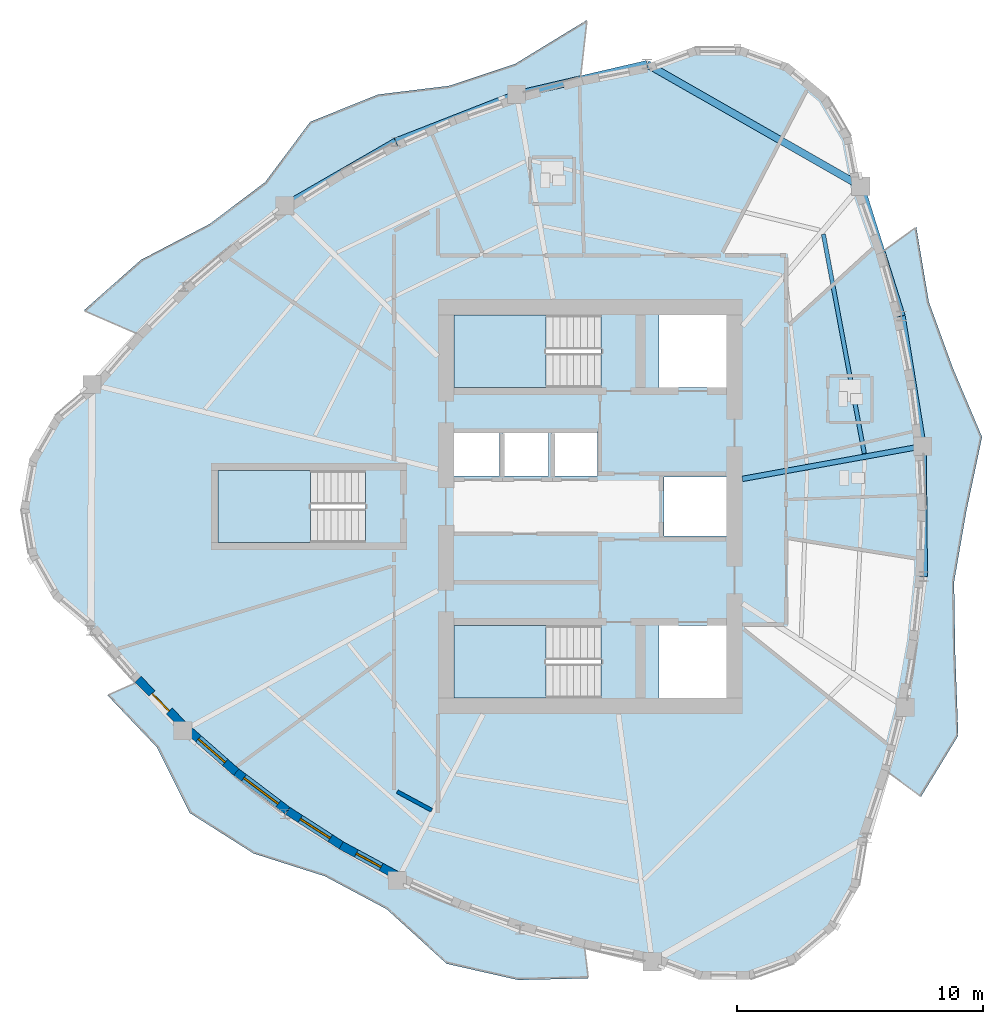
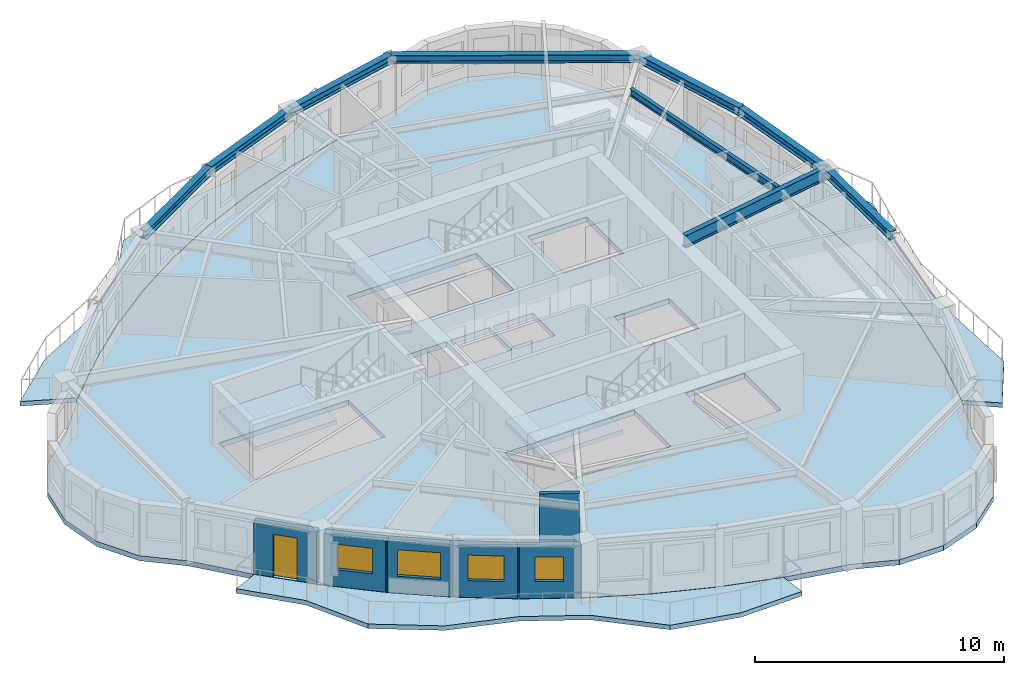
# One storey, part 2 of 12: 9 beams, 7 slabs, 6 walls, 4 windows, 1 door, 5 openings, 3 elements without a shape of their own.
"""IFC4 building model written with IfcOpenShell, lengths in metres."""

import ifcopenshell
import ifcopenshell.guid

model = None  # the IFC model being written
_history = None  # IfcOwnerHistory: only IFC2X3 demands one
_inside = {}  # id of a spatial element -> (the spatial element, [elements in it])
_under = {}  # id of a project, library or spatial element -> (it, [spatial elements below it])
_declared = {}  # id of a project -> (the project, [libraries it declares])
_typed = {}  # id of a type object -> (the type object, [elements of that type])
_made_of = {}  # id of a material, layer set ... -> (it, [elements and type objects made of it])


def new_model(schema):
    """Start an empty IFC model of exactly this schema.

    Asked for "IFC4X3", IfcOpenShell would pick the latest addendum, in which some entities
    have other attributes; the version numbers below select the first issue.
    IFC2X3 requires an IfcOwnerHistory on every rooted entity: one is made here for all.
    """
    global model, _history
    if schema == "IFC4X3":
        model = ifcopenshell.file(schema_version=(4, 3, 0, 0))
    else:
        model = ifcopenshell.file(schema=schema)
    _inside.clear()
    _under.clear()
    _declared.clear()
    _typed.clear()
    _made_of.clear()
    _history = None
    if model.schema == "IFC2X3":
        org = make("IfcOrganization", Name="unknown")
        user = make(
            "IfcPersonAndOrganization",
            ThePerson=make("IfcPerson", FamilyName="unknown"),
            TheOrganization=org,
        )
        app = make(
            "IfcApplication",
            ApplicationDeveloper=org,
            Version="unknown",
            ApplicationFullName="unknown",
            ApplicationIdentifier="unknown",
        )
        _history = make(
            "IfcOwnerHistory",
            OwningUser=user,
            OwningApplication=app,
            ChangeAction="ADDED",
            CreationDate=0,
        )
    return model


def make(cls, **values):
    """One entity of the class cls with the attributes given. An attribute that is None is left unset."""
    return model.create_entity(
        cls, **{name: value for name, value in values.items() if value is not None}
    )


def rooted(cls, **values):
    """An entity with a GlobalId (a new one), such as an element, a storey or a relation."""
    return make(cls, GlobalId=ifcopenshell.guid.new(), OwnerHistory=_history, **values)


def si_unit(unit_type, name, prefix=None):
    """IfcSIUnit, for example si_unit("LENGTHUNIT", "METRE", prefix="MILLI")."""
    return make("IfcSIUnit", UnitType=unit_type, Prefix=prefix, Name=name)


def assignment(units):
    """IfcUnitAssignment: the units of a project."""
    return None if units is None else make("IfcUnitAssignment", Units=units)


def point(xyz):
    """IfcCartesianPoint."""
    return None if xyz is None else make("IfcCartesianPoint", Coordinates=xyz)


def direction(xyz):
    """IfcDirection."""
    return None if xyz is None else make("IfcDirection", DirectionRatios=xyz)


def frame(location, z_axis=None, x_axis=None):
    """IfcAxis2Placement3D, a coordinate frame: its origin and axes. An axis left out is left unset."""
    return make(
        "IfcAxis2Placement3D",
        Location=point(location),
        Axis=direction(z_axis),
        RefDirection=direction(x_axis),
    )


def frame_2d(location, x_axis=None):
    """IfcAxis2Placement2D, a coordinate frame in the plane: its origin and x axis."""
    return make(
        "IfcAxis2Placement2D", Location=point(location), RefDirection=direction(x_axis)
    )


def origin():
    """The frame at (0, 0, 0) with its axes left unset."""
    return frame((0.0, 0.0, 0.0))


def origin_2d():
    """The frame at (0, 0) in the plane with its x axis left unset."""
    return frame_2d((0.0, 0.0))


def place(relative_to, where):
    """IfcLocalPlacement: puts the frame where relative to a parent placement (None: the world)."""
    return make(
        "IfcLocalPlacement", PlacementRelTo=relative_to, RelativePlacement=where
    )


def context(
    kind, dimensions, precision=None, world=None, true_north=None, identifier=None
):
    """IfcGeometricRepresentationContext, for example the 3D "Model" context."""
    return make(
        "IfcGeometricRepresentationContext",
        ContextIdentifier=identifier,
        ContextType=kind,
        CoordinateSpaceDimension=dimensions,
        Precision=precision,
        WorldCoordinateSystem=world,
        TrueNorth=true_north,
    )


def subcontext(parent, identifier, kind, view, scale=None):
    """IfcGeometricRepresentationSubContext, for example "Body" below "Model"."""
    return make(
        "IfcGeometricRepresentationSubContext",
        ContextIdentifier=identifier,
        ContextType=kind,
        ParentContext=parent,
        TargetScale=scale,
        TargetView=view,
    )


def project(units=None, contexts=None):
    """IfcProject with its units and contexts."""
    return rooted(
        "IfcProject",
        Name="project",
        RepresentationContexts=contexts,
        UnitsInContext=assignment(units),
    )


def spatial(cls, under=None, at=None, **own):
    """A site, building, storey or space (cls), placed at a placement, below another one or the project."""
    s = rooted(cls, ObjectPlacement=at, **own)
    if under is not None:
        _under.setdefault(under.id(), (under, []))[1].append(s)
    return s


def polyline(points):
    """IfcPolyline through the points."""
    return make("IfcPolyline", Points=[point(p) for p in points])


def profile(cls, at=None, kind="AREA", **sizes):
    """A parametric profile (cls). Its sizes go by their IFC names, for example OverallWidth=200.0."""
    return make(cls, ProfileType=kind, Position=at, **sizes)


def rectangle(**sizes):
    """IfcRectangleProfileDef."""
    return profile("IfcRectangleProfileDef", **sizes)


def i_section(**sizes):
    """IfcIShapeProfileDef."""
    return profile("IfcIShapeProfileDef", **sizes)


def outline(outer, holes=None, kind="AREA"):
    """IfcArbitraryClosedProfileDef: a profile drawn as a closed curve; with holes, ...WithVoids."""
    if holes is None:
        return make("IfcArbitraryClosedProfileDef", ProfileType=kind, OuterCurve=outer)
    return make(
        "IfcArbitraryProfileDefWithVoids",
        ProfileType=kind,
        OuterCurve=outer,
        InnerCurves=holes,
    )


def extrude(swept, where, along, depth):
    """IfcExtrudedAreaSolid: the profile swept, set in the frame where, extruded along a direction by depth."""
    return make(
        "IfcExtrudedAreaSolid",
        SweptArea=swept,
        Position=where,
        ExtrudedDirection=direction(along),
        Depth=depth,
    )


def shape(context_of_items, identifier, shape_type, items):
    """IfcShapeRepresentation: the items that make up one representation, for example the "Body"."""
    return make(
        "IfcShapeRepresentation",
        ContextOfItems=context_of_items,
        RepresentationIdentifier=identifier,
        RepresentationType=shape_type,
        Items=items,
    )


def source(mapping_origin, context_of_items, identifier, shape_type, items):
    """IfcRepresentationMap: a shape defined once, which mapped items show again and again."""
    return make(
        "IfcRepresentationMap",
        MappingOrigin=mapping_origin,
        MappedRepresentation=shape(context_of_items, identifier, shape_type, items),
    )


def transform(
    local_origin,
    x_axis=None,
    y_axis=None,
    z_axis=None,
    scale=None,
    scale2=None,
    scale3=None,
    uniform=True,
):
    """IfcCartesianTransformationOperator3D, or its non-uniform kind. x_axis, y_axis, z_axis: its Axis1, 2, 3."""
    if uniform:
        return make(
            "IfcCartesianTransformationOperator3D",
            Axis1=direction(x_axis),
            Axis2=direction(y_axis),
            LocalOrigin=point(local_origin),
            Scale=scale,
            Axis3=direction(z_axis),
        )
    return make(
        "IfcCartesianTransformationOperator3DnonUniform",
        Axis1=direction(x_axis),
        Axis2=direction(y_axis),
        LocalOrigin=point(local_origin),
        Scale=scale,
        Axis3=direction(z_axis),
        Scale2=scale2,
        Scale3=scale3,
    )


def mapped(mapping_source, mapping_target):
    """IfcMappedItem: shows the shape of a source again, moved by a transform."""
    return make(
        "IfcMappedItem", MappingSource=mapping_source, MappingTarget=mapping_target
    )


def material(Name=None, Category=None):
    """IfcMaterial."""
    return make("IfcMaterial", Name=Name, Category=Category)


def layer(
    of_material, thickness, ventilated=None, Name=None, Category=None, Priority=None
):
    """IfcMaterialLayer: one layer of a wall or slab, of a material (None: an air gap)."""
    return make(
        "IfcMaterialLayer",
        Material=of_material,
        LayerThickness=thickness,
        IsVentilated=ventilated,
        Name=Name,
        Category=Category,
        Priority=Priority,
    )


def layer_set(layers, Name=None):
    """IfcMaterialLayerSet."""
    return make("IfcMaterialLayerSet", MaterialLayers=layers, LayerSetName=Name)


def material_profile(
    of_material, cross_section, Name=None, Category=None, Priority=None
):
    """IfcMaterialProfile: a cross section and its material."""
    return make(
        "IfcMaterialProfile",
        Name=Name,
        Material=of_material,
        Profile=cross_section,
        Priority=Priority,
        Category=Category,
    )


def profile_set(profiles, Name=None, composite=None):
    """IfcMaterialProfileSet."""
    return make(
        "IfcMaterialProfileSet",
        Name=Name,
        MaterialProfiles=profiles,
        CompositeProfile=composite,
    )


def made_of(thing, what):
    """Note that an element or type object is made of a material, layer set ...; save() writes the relation."""
    if what is not None:
        _made_of.setdefault(what.id(), (what, []))[1].append(thing)
    return thing


def type_object(cls, material=None, **own):
    """A type object (cls), such as IfcWallType, which elements share."""
    return made_of(rooted(cls, **own), material)


def element(
    cls,
    number,
    at=None,
    inside=None,
    cuts=None,
    type_object=None,
    material=None,
    context=None,
    identifier="Body",
    shape_type=None,
    held_by="IfcProductDefinitionShape",
    body=None,
    shapes=None,
    **own,
):
    """One element of the class cls, such as IfcWall. Its Tag is "e" and its number.

    at: its placement. inside: the storey or other place that contains it. cuts: it is an
    opening in that element (IfcRelVoidsElement). A single representation is given by context,
    identifier, shape_type and body (its items); several are given by shapes. held_by: the class
    of the entity that holds the representations. save() writes the other relations.
    """
    e = rooted(cls, Tag="e%d" % number, ObjectPlacement=at, **own)
    if body is not None:
        shapes = [shape(context, identifier, shape_type, body)]
    if shapes is not None:
        e.Representation = make(held_by, Representations=shapes)
    if inside is not None:
        _inside.setdefault(inside.id(), (inside, []))[1].append(e)
    if cuts is not None:
        rooted(
            "IfcRelVoidsElement", RelatingBuildingElement=cuts, RelatedOpeningElement=e
        )
    if type_object is not None:
        _typed.setdefault(type_object.id(), (type_object, []))[1].append(e)
    return made_of(e, material)


def fill(opening, filler):
    """IfcRelFillsElement: the door or window that sits in an opening."""
    return rooted(
        "IfcRelFillsElement",
        RelatingOpeningElement=opening,
        RelatedBuildingElement=filler,
    )


def aggregate(whole, parts):
    """IfcRelAggregates: a whole, such as a stair, and the parts it consists of."""
    return rooted("IfcRelAggregates", RelatingObject=whole, RelatedObjects=parts)


def save(model, path):
    """Write the relations noted so far, then the file.

    IfcRelAggregates (storeys below a building ...), IfcRelContainedInSpatialStructure (elements
    in a storey), IfcRelDefinesByType, IfcRelAssociatesMaterial and IfcRelDeclares: one each for
    every whole, place, type object, material and project.
    """
    for whole, parts in _under.values():
        aggregate(whole, parts)
    for where, things in _inside.values():
        rooted(
            "IfcRelContainedInSpatialStructure",
            RelatedElements=things,
            RelatingStructure=where,
        )
    for kind, things in _typed.values():
        rooted("IfcRelDefinesByType", RelatedObjects=things, RelatingType=kind)
    for what, things in _made_of.values():
        rooted("IfcRelAssociatesMaterial", RelatedObjects=things, RelatingMaterial=what)
    for by, libraries in _declared.values():
        rooted("IfcRelDeclares", RelatingContext=by, RelatedDefinitions=libraries)
    model.write(path)


model = new_model("IFC4")

# Units and contexts
model_context = context("Model", 3, precision=1e-05, world=origin(), true_north=direction((0.0, 1.0)))
body_context = subcontext(model_context, "Body", "Model", "MODEL_VIEW")
ifc_project = project(units=[si_unit("LENGTHUNIT", "METRE"), si_unit("AREAUNIT", "SQUARE_METRE"), si_unit("VOLUMEUNIT", "CUBIC_METRE"), si_unit("PLANEANGLEUNIT", "RADIAN"), si_unit("MASSUNIT", "GRAM", prefix="KILO")], contexts=[model_context])

# Site, building, storey
site_placement = place(None, origin())
site = spatial("IfcSite", under=ifc_project, at=site_placement, CompositionType="ELEMENT")
building_placement = place(site_placement, origin())
building = spatial("IfcBuilding", under=site, at=building_placement, Name="Qafzar Sky-Pleat Residences", CompositionType="ELEMENT")
storey_placement = place(building_placement, frame((0.0, 0.0, 139.39990234375)))
storey = spatial("IfcBuildingStorey", under=building, at=storey_placement, Name="L41", CompositionType="ELEMENT", Elevation=139.39990234375)

# Beams
ifc_material_1 = material(Name="Steel S355", Category="steel")
ifc_material_profile_1 = material_profile(ifc_material_1, i_section(OverallWidth=0.300048828125, OverallDepth=0.39990234375, WebThickness=0.013427734375, FlangeThickness=0.02392578125, FilletRadius=0.027099609375, at=origin_2d()), Name="HEB 400")
ifc_profile_set_1 = profile_set([ifc_material_profile_1], Name="Steel S355")
beam_type_1 = type_object("IfcBeamType", Name="BM-SPAN-HEB400", PredefinedType="SPANDREL", material=ifc_profile_set_1)
shared_shape_1 = source(origin(), body_context, "Body", "SweptSolid", [
    extrude(i_section(OverallWidth=0.300048828125, OverallDepth=0.39990234375, WebThickness=0.013427734375, FlangeThickness=0.02392578125, FilletRadius=0.027099609375, at=origin_2d()), origin(), (0.0, 0.0, 1.0), 5.548095703125),
])
beam_1_placement = place(storey_placement, frame((43.030517578125, 33.757080078125, 2.748046875), z_axis=(-0.300103485424, 0.953906650588, 0.0), x_axis=(-0.953906650588, -0.300103485424, 0.0)))
element("IfcBeam", 1, at=beam_1_placement, inside=storey, type_object=beam_type_1, Name="L41 Perimeter Spandrel Beam 12", PredefinedType="SPANDREL", context=body_context, shape_type="MappedRepresentation", body=[
    mapped(shared_shape_1, transform((0.0, 0.0, 0.0), x_axis=(1.0, 0.0, 0.0), y_axis=(0.0, 1.0, 0.0), z_axis=(0.0, 0.0, 1.0), scale=1.0)),
])
shared_shape_2 = source(origin(), body_context, "Body", "SweptSolid", [
    extrude(i_section(OverallWidth=0.300048828125, OverallDepth=0.39990234375, WebThickness=0.013427734375, FlangeThickness=0.02392578125, FilletRadius=0.027099609375, at=origin_2d()), origin(), (0.0, 0.0, 1.0), 5.369384765625),
])
beam_2_placement = place(storey_placement, frame((43.88818359375, 28.45654296875, 2.748046875), z_axis=(-0.159729894545, 0.987160757318, 0.0), x_axis=(-0.987160757318, -0.159729894545, 0.0)))
element("IfcBeam", 2, at=beam_2_placement, inside=storey, type_object=beam_type_1, Name="L41 Perimeter Spandrel Beam 11", PredefinedType="SPANDREL", context=body_context, shape_type="MappedRepresentation", body=[
    mapped(shared_shape_2, transform((0.0, 0.0, 0.0), x_axis=(1.0, 0.0, 0.0), y_axis=(0.0, 1.0, 0.0), z_axis=(0.0, 0.0, 1.0), scale=1.0)),
])
shared_shape_3 = source(origin(), body_context, "Body", "SweptSolid", [
    extrude(i_section(OverallWidth=0.300048828125, OverallDepth=0.39990234375, WebThickness=0.013427734375, FlangeThickness=0.02392578125, FilletRadius=0.027099609375, at=origin_2d()), origin(), (0.0, 0.0, 1.0), 5.308349609375),
])
beam_3_placement = place(storey_placement, frame((43.939453125, 23.1484375, 2.748046875), z_axis=(-0.009658274544, 0.999953357779, 0.0), x_axis=(-0.999953357779, -0.009658274544, 0.0)))
element("IfcBeam", 3, at=beam_3_placement, inside=storey, type_object=beam_type_1, Name="L41 Perimeter Spandrel Beam 10", PredefinedType="SPANDREL", context=body_context, shape_type="MappedRepresentation", body=[
    mapped(shared_shape_3, transform((0.0, 0.0, 0.0), x_axis=(1.0, 0.0, 0.0), y_axis=(0.0, 1.0, 0.0), z_axis=(0.0, 0.0, 1.0), scale=1.0)),
])
shared_shape_4 = source(origin(), body_context, "Body", "SweptSolid", [
    extrude(i_section(OverallWidth=0.300048828125, OverallDepth=0.39990234375, WebThickness=0.013427734375, FlangeThickness=0.02392578125, FilletRadius=0.027099609375, at=origin_2d()), origin(), (0.0, 0.0, 1.0), 10.017578125),
])
beam_4_placement = place(storey_placement, frame((41.365478515625, 39.049560546875, 2.748046875), z_axis=(-0.868418560379, 0.495831830351, 0.0), x_axis=(-0.495831830351, -0.868418560379, 0.0)))
element("IfcBeam", 4, at=beam_4_placement, inside=storey, type_object=beam_type_1, Name="L41 Perimeter Spandrel Beam 13", PredefinedType="SPANDREL", context=body_context, shape_type="MappedRepresentation", body=[
    mapped(shared_shape_4, transform((0.0, 0.0, 0.0), x_axis=(1.0, 0.0, 0.0), y_axis=(0.0, 1.0, 0.0), z_axis=(0.0, 0.0, 1.0), scale=1.0)),
])
shared_shape_5 = source(origin(), body_context, "Body", "SweptSolid", [
    extrude(i_section(OverallWidth=0.300048828125, OverallDepth=0.39990234375, WebThickness=0.013427734375, FlangeThickness=0.02392578125, FilletRadius=0.027099609375, at=origin_2d()), origin(), (0.0, 0.0, 1.0), 5.45556640625),
])
beam_5_placement = place(storey_placement, frame((32.666015625, 44.0166015625, 2.748046875), z_axis=(-0.974014226201, -0.226486836609, 0.0), x_axis=(0.226486836609, -0.974014226201, 0.0)))
element("IfcBeam", 5, at=beam_5_placement, inside=storey, type_object=beam_type_1, Name="L41 Perimeter Spandrel Beam 14", PredefinedType="SPANDREL", context=body_context, shape_type="MappedRepresentation", body=[
    mapped(shared_shape_5, transform((0.0, 0.0, 0.0), x_axis=(1.0, 0.0, 0.0), y_axis=(0.0, 1.0, 0.0), z_axis=(0.0, 0.0, 1.0), scale=1.0)),
])
shared_shape_6 = source(origin(), body_context, "Body", "SweptSolid", [
    extrude(i_section(OverallWidth=0.300048828125, OverallDepth=0.39990234375, WebThickness=0.013427734375, FlangeThickness=0.02392578125, FilletRadius=0.027099609375, at=origin_2d()), origin(), (0.0, 0.0, 1.0), 5.27978515625),
])
beam_6_placement = place(storey_placement, frame((27.352294921875, 42.781005859375, 2.748046875), z_axis=(-0.931340989142, -0.364148269177, 0.0), x_axis=(0.364148269177, -0.931340989142, 0.0)))
element("IfcBeam", 6, at=beam_6_placement, inside=storey, type_object=beam_type_1, Name="L41 Perimeter Spandrel Beam 15", PredefinedType="SPANDREL", context=body_context, shape_type="MappedRepresentation", body=[
    mapped(shared_shape_6, transform((0.0, 0.0, 0.0), x_axis=(1.0, 0.0, 0.0), y_axis=(0.0, 1.0, 0.0), z_axis=(0.0, 0.0, 1.0), scale=1.0)),
])
shared_shape_7 = source(origin(), body_context, "Body", "SweptSolid", [
    extrude(i_section(OverallWidth=0.300048828125, OverallDepth=0.39990234375, WebThickness=0.013427734375, FlangeThickness=0.02392578125, FilletRadius=0.027099609375, at=origin_2d()), origin(), (0.0, 0.0, 1.0), 5.219482421875),
])
beam_7_placement = place(storey_placement, frame((22.43505859375, 40.8583984375, 2.748046875), z_axis=(-0.866018117109, -0.50001262068, 0.0), x_axis=(0.50001262068, -0.866018117109, 0.0)))
element("IfcBeam", 7, at=beam_7_placement, inside=storey, type_object=beam_type_1, Name="L41 Perimeter Spandrel Beam 16", PredefinedType="SPANDREL", context=body_context, shape_type="MappedRepresentation", body=[
    mapped(shared_shape_7, transform((0.0, 0.0, 0.0), x_axis=(1.0, 0.0, 0.0), y_axis=(0.0, 1.0, 0.0), z_axis=(0.0, 0.0, 1.0), scale=1.0)),
])
ifc_material_profile_2 = material_profile(ifc_material_1, i_section(OverallWidth=0.219970703125, OverallDepth=0.60009765625, WebThickness=0.011962890625, FlangeThickness=0.01904296875, FilletRadius=0.02392578125, at=origin_2d()), Name="IPE 600")
ifc_profile_set_2 = profile_set([ifc_material_profile_2], Name="Steel S355")
beam_type_2 = type_object("IfcBeamType", Name="BM-SEC-IPE600", PredefinedType="BEAM", material=ifc_profile_set_2)
shared_shape_8 = source(origin(), body_context, "Body", "SweptSolid", [
    extrude(i_section(OverallWidth=0.219970703125, OverallDepth=0.60009765625, WebThickness=0.011962890625, FlangeThickness=0.01904296875, FilletRadius=0.02392578125, at=origin_2d()), origin(), (0.0, 0.0, 1.0), 7.4580078125),
])
beam_8_placement = place(storey_placement, frame((43.88818359375, 28.45654296875, 2.648193359375), z_axis=(-0.983932701644, -0.178539739654, 0.0), x_axis=(0.178539739654, -0.983932701644, 0.0)))
element("IfcBeam", 8, at=beam_8_placement, inside=storey, type_object=beam_type_2, Name="L41 Radial Floor Girder 11", PredefinedType="BEAM", context=body_context, shape_type="MappedRepresentation", body=[
    mapped(shared_shape_8, transform((0.0, 0.0, 0.0), x_axis=(1.0, 0.0, 0.0), y_axis=(0.0, 1.0, 0.0), z_axis=(0.0, 0.0, 1.0), scale=1.0)),
])
ifc_material_profile_3 = material_profile(ifc_material_1, i_section(OverallWidth=0.169921875, OverallDepth=0.360107421875, WebThickness=0.008056640625, FlangeThickness=0.0126953125, FilletRadius=0.01806640625, at=origin_2d()), Name="IPE 360")
ifc_profile_set_3 = profile_set([ifc_material_profile_3], Name="Steel S355")
beam_type_3 = type_object("IfcBeamType", Name="BM-JST-IPE360", PredefinedType="JOIST", material=ifc_profile_set_3)
shared_shape_9 = source(origin(), body_context, "Body", "SweptSolid", [
    extrude(i_section(OverallWidth=0.169921875, OverallDepth=0.360107421875, WebThickness=0.008056640625, FlangeThickness=0.0126953125, FilletRadius=0.01806640625, at=origin_2d()), origin(), (0.0, 0.0, 1.0), 9.082275390625),
])
beam_9_placement = place(storey_placement, frame((41.515380859375, 28.1630859375, 2.76806640625), z_axis=(-0.183434771009, 0.983031883911, 0.0), x_axis=(-0.983031883911, -0.183434771009, 0.0)))
element("IfcBeam", 9, at=beam_9_placement, inside=storey, type_object=beam_type_3, Name="L41 Outer Secondary Floor Joist 6", PredefinedType="JOIST", context=body_context, shape_type="MappedRepresentation", body=[
    mapped(shared_shape_9, transform((0.0, 0.0, 0.0), x_axis=(1.0, 0.0, 0.0), y_axis=(0.0, 1.0, 0.0), z_axis=(0.0, 0.0, 1.0), scale=1.0)),
])

# Slabs
ifc_material_2 = material(Name="Concrete C40/50", Category="concrete")
ifc_layer_1 = layer(ifc_material_2, 0.219970703125)
ifc_layer_set_1 = layer_set([ifc_layer_1], Name="Concrete C40/50")
slab_type_1 = type_object("IfcSlabType", Name="SLAB-BAL-220", PredefinedType="USERDEFINED", material=ifc_layer_set_1)
slab_1_placement = place(storey_placement, frame((0.0, 0.0, -0.219970703125)))
element("IfcSlab", 10, at=slab_1_placement, inside=storey, type_object=slab_type_1, Name="L41 Pleated Stone Balcony 1", ObjectType="BALCONY", PredefinedType="USERDEFINED", context=body_context, shape_type="SweptSolid", body=[
    extrude(outline(polyline([(43.1943359375, 17.826904296875), (43.673583984375, 20.4873046875), (43.951171875, 23.146240234375), (44.02685546875, 25.803466796875), (43.900146484375, 28.45849609375), (43.571533203125, 31.111572265625), (43.041015625, 33.762451171875), (42.30859375, 36.411376953125), (43.633056640625, 37.375), (44.14111328125, 34.330322265625), (45.1279296875, 31.622314453125), (46.3095703125, 28.8310546875), (45.664794921875, 25.783203125), (45.169921875, 22.92822265625), (45.218994140625, 19.944091796875), (45.34130859375, 16.671875), (43.825439453125, 14.1845703125), (42.512939453125, 15.164306640625), (43.1943359375, 17.826904296875)])), origin(), (0.0, 0.0, 1.0), 0.219970703125),
])
slab_2_placement = place(storey_placement, frame((0.0, 0.0, -0.219970703125)))
element("IfcSlab", 11, at=slab_2_placement, inside=storey, type_object=slab_type_1, Name="L41 Pleated Stone Balcony 2", ObjectType="BALCONY", PredefinedType="USERDEFINED", context=body_context, shape_type="SweptSolid", body=[
    extrude(outline(polyline([(27.351806640625, 42.793212890625), (24.841796875, 41.91748046875), (22.430908203125, 40.86962890625), (20.119384765625, 39.649658203125), (17.906982421875, 38.2578125), (15.794189453125, 36.69384765625), (13.781005859375, 34.9580078125), (11.866943359375, 33.05029296875), (9.731201171875, 33.983642578125), (12.056640625, 36.044189453125), (14.863037109375, 37.509521484375), (17.1201171875, 39.21337890625), (18.953857421875, 41.668212890625), (21.716064453125, 42.7783203125), (24.6005859375, 43.131591796875), (27.303955078125, 44.0302734375), (30.22021484375, 45.81298828125), (29.960693359375, 43.49658203125), (27.351806640625, 42.793212890625)])), origin(), (0.0, 0.0, 1.0), 0.219970703125),
])
slab_3_placement = place(storey_placement, frame((0.0, 0.0, -0.219970703125)))
element("IfcSlab", 12, at=slab_3_placement, inside=storey, type_object=slab_type_1, Name="L41 Pleated Stone Balcony 3", ObjectType="BALCONY", PredefinedType="USERDEFINED", context=body_context, shape_type="SweptSolid", body=[
    extrude(outline(polyline([(13.7568359375, 16.855224609375), (15.78759765625, 15.0703125), (17.9208984375, 13.459228515625), (20.156982421875, 12.022216796875), (22.49560546875, 10.7587890625), (24.93701171875, 9.669921875), (27.48095703125, 8.7548828125), (30.12744140625, 8.013671875), (30.272705078125, 6.7841796875), (27.419677734375, 6.7177734375), (24.50732421875, 7.37890625), (22.0751953125, 9.594482421875), (19.551025390625, 10.9423828125), (16.644287109375, 11.87060546875), (14.050537109375, 13.515869140625), (12.715087890625, 16.1865234375), (10.697998046875, 18.311279296875), (11.8291015625, 18.81396484375), (13.7568359375, 16.855224609375)])), origin(), (0.0, 0.0, 1.0), 0.219970703125),
])
ifc_layer_2 = layer(ifc_material_2, 0.25)
ifc_layer_set_2 = layer_set([ifc_layer_2], Name="Concrete C40/50")
slab_type_2 = type_object("IfcSlabType", Name="SLAB-FLR-250", PredefinedType="FLOOR", material=ifc_layer_set_2)
slab_4_placement = place(storey_placement, frame((0.0, 0.0, -0.25)))
element("IfcSlab", 13, at=slab_4_placement, inside=storey, type_object=slab_type_2, Name="L41 Structural Floor Slab", PredefinedType="FLOOR", context=body_context, shape_type="SweptSolid", body=[
    extrude(outline(polyline([(10.064208984375, 30.967529296875), (8.527099609375, 29.679931640625), (7.520263671875, 27.94580078125), (7.164306640625, 25.972412109375), (7.501220703125, 23.995849609375), (8.4912109375, 22.252197265625), (10.015869140625, 20.94970703125), (11.840087890625, 18.81884765625), (13.76708984375, 16.86181640625), (15.79638671875, 15.078369140625), (17.928466796875, 13.468505859375), (20.162841796875, 12.03271484375), (22.499755859375, 10.770263671875), (24.939208984375, 9.681640625), (27.4814453125, 8.766845703125), (30.1259765625, 8.025634765625), (32.873291015625, 7.458251953125), (34.777587890625, 6.747802734375), (36.810302734375, 6.73779296875), (38.721435546875, 7.429931640625), (40.2763671875, 8.739013671875), (41.2841796875, 10.50439453125), (41.62109375, 12.5087890625), (42.50341796875, 15.171630859375), (43.18359375, 17.83251953125), (43.662353515625, 20.491455078125), (43.939453125, 23.1484375), (44.014892578125, 25.803466796875), (43.88818359375, 28.45654296875), (43.560302734375, 31.10791015625), (43.030517578125, 33.757080078125), (42.298828125, 36.404296875), (41.365478515625, 39.049560546875), (41.0, 41.021240234375), (39.98486328125, 42.75048828125), (38.441650390625, 44.030517578125), (36.5546875, 44.708984375), (34.549560546875, 44.7041015625), (32.666015625, 44.0166015625), (29.95947265625, 43.48486328125), (27.352294921875, 42.781005859375), (24.843994140625, 41.905517578125), (22.43505859375, 40.8583984375), (20.125244140625, 39.639404296875), (17.914794921875, 38.24853515625), (15.80322265625, 36.685791015625), (13.791015625, 34.95166015625), (11.8779296875, 33.04541015625), (10.064208984375, 30.967529296875)]), holes=[polyline([(30.797119140625, 21.14990234375), (24.800048828125, 21.14990234375), (24.800048828125, 18.199951171875), (30.797119140625, 18.199951171875), (30.797119140625, 21.14990234375)]), polyline([(30.797119140625, 33.800048828125), (24.800048828125, 33.800048828125), (24.800048828125, 30.85009765625), (30.797119140625, 30.85009765625), (30.797119140625, 33.800048828125)]), polyline([(21.197021484375, 27.47509765625), (15.199951171875, 27.47509765625), (15.199951171875, 24.52490234375), (21.197021484375, 24.52490234375), (21.197021484375, 27.47509765625)]), polyline([(24.800048828125, 27.25), (26.64990234375, 27.25), (26.64990234375, 29.050048828125), (24.800048828125, 29.050048828125), (24.800048828125, 27.25)]), polyline([(26.800048828125, 27.25), (28.64990234375, 27.25), (28.64990234375, 29.050048828125), (26.800048828125, 29.050048828125), (26.800048828125, 27.25)]), polyline([(28.800048828125, 27.25), (30.64990234375, 27.25), (30.64990234375, 29.050048828125), (28.800048828125, 29.050048828125), (28.800048828125, 27.25)]), polyline([(33.14990234375, 18.199951171875), (35.89990234375, 18.199951171875), (35.89990234375, 21.14990234375), (33.14990234375, 21.14990234375), (33.14990234375, 18.199951171875)]), polyline([(33.14990234375, 30.85009765625), (35.89990234375, 30.85009765625), (35.89990234375, 33.800048828125), (33.14990234375, 33.800048828125), (33.14990234375, 30.85009765625)]), polyline([(33.35009765625, 24.800048828125), (35.89990234375, 24.800048828125), (35.89990234375, 27.199951171875), (33.35009765625, 27.199951171875), (33.35009765625, 24.800048828125)])]), origin(), (0.0, 0.0, 1.0), 0.25),
])

# Stair, slab
stair_type = type_object("IfcStairType", Name="STAIR-H320", PredefinedType="HALF_TURN_STAIR", material=ifc_material_2)
stair_1_placement = place(storey_placement, origin())
stair_1 = element("IfcStair", 14, at=stair_1_placement, inside=storey, type_object=stair_type, Name="L41 Protected Exit Stair ST1", PredefinedType="HALF_TURN_STAIR")
ifc_layer_3 = layer(ifc_material_2, 0.199951171875)
ifc_layer_set_3 = layer_set([ifc_layer_3], Name="Concrete C40/50")
slab_type_3 = type_object("IfcSlabType", Name="SLAB-LANDING-200", PredefinedType="LANDING", material=ifc_layer_set_3)
slab_5_placement = place(storey_placement, frame((0.0, 0.0, 1.400146484375)))
slab_5 = element("IfcSlab", 15, at=slab_5_placement, type_object=slab_type_3, Name="ST1 landing 1", PredefinedType="LANDING", context=body_context, shape_type="SweptSolid", body=[
    extrude(outline(polyline([(28.56005859375, 21.14990234375), (24.800048828125, 21.14990234375), (24.800048828125, 18.199951171875), (28.56005859375, 18.199951171875), (28.56005859375, 21.14990234375)])), origin(), (0.0, 0.0, 1.0), 0.199951171875),
])
aggregate(stair_1, [slab_5])

stair_2_placement = place(storey_placement, origin())
stair_2 = element("IfcStair", 16, at=stair_2_placement, inside=storey, type_object=stair_type, Name="L41 Protected Exit Stair ST2", PredefinedType="HALF_TURN_STAIR")
slab_6_placement = place(storey_placement, frame((0.0, 0.0, 1.400146484375)))
slab_6 = element("IfcSlab", 17, at=slab_6_placement, type_object=slab_type_3, Name="ST2 landing 1", PredefinedType="LANDING", context=body_context, shape_type="SweptSolid", body=[
    extrude(outline(polyline([(28.56005859375, 33.800048828125), (24.800048828125, 33.800048828125), (24.800048828125, 30.85009765625), (28.56005859375, 30.85009765625), (28.56005859375, 33.800048828125)])), origin(), (0.0, 0.0, 1.0), 0.199951171875),
])
aggregate(stair_2, [slab_6])

stair_3_placement = place(storey_placement, origin())
stair_3 = element("IfcStair", 18, at=stair_3_placement, inside=storey, type_object=stair_type, Name="L41 Protected Exit Stair ST3", PredefinedType="HALF_TURN_STAIR")
slab_7_placement = place(storey_placement, frame((0.0, 0.0, 1.400146484375)))
slab_7 = element("IfcSlab", 19, at=slab_7_placement, type_object=slab_type_3, Name="ST3 landing 1", PredefinedType="LANDING", context=body_context, shape_type="SweptSolid", body=[
    extrude(outline(polyline([(18.9599609375, 27.47509765625), (15.199951171875, 27.47509765625), (15.199951171875, 24.52490234375), (18.9599609375, 24.52490234375), (18.9599609375, 27.47509765625)])), origin(), (0.0, 0.0, 1.0), 0.199951171875),
])
aggregate(stair_3, [slab_7])

# Wall
ifc_material_3 = material(Name="Acoustic gypsum plasterboard partition", Category="gypsum")
ifc_layer_4 = layer(ifc_material_3, 0.159912109375)
ifc_layer_set_4 = layer_set([ifc_layer_4], Name="Acoustic gypsum plasterboard partition")
wall_type_1 = type_object("IfcWallType", Name="PART-COR-160", PredefinedType="PARTITIONING", material=ifc_layer_set_4)
wall_1_placement = place(storey_placement, frame((22.4951171875, 14.387451171875, 0.0), z_axis=(0.0, 0.0, 1.0), x_axis=(0.879618674253, -0.475679501245, 0.0)))
element("IfcWall", 20, at=wall_1_placement, inside=storey, type_object=wall_type_1, Name="L41 Partition Wall PART-L41-PW-037", PredefinedType="PARTITIONING", context=body_context, shape_type="SweptSolid", body=[
    extrude(rectangle(XDim=1.602783203125, YDim=0.159912109375, at=frame_2d((0.80126953125, 0.0))), origin(), (0.0, 0.0, 1.0), 2.9501953125),
])

# Wall, opening, door
ifc_material_4 = material(Name="Precast concrete C40/50 with honed Riyadh limestone", Category="concrete")
ifc_layer_5 = layer(ifc_material_4, 0.340087890625)
ifc_layer_set_5 = layer_set([ifc_layer_5], Name="Precast concrete C40/50 with honed Riyadh limestone")
wall_type_2 = type_object("IfcWallType", Name="WALL-EXT-340", PredefinedType="SOLIDWALL", material=ifc_layer_set_5)
wall_2_placement = place(storey_placement, frame((11.934814453125, 18.965087890625, 0.0), z_axis=(0.0, 0.0, 1.0), x_axis=(0.701560003197, -0.712610385775, 0.0)))
wall_2 = element("IfcWall", 21, at=wall_2_placement, inside=storey, type_object=wall_type_2, Name="L41 Limestone Facade Wall 8", PredefinedType="SOLIDWALL", context=body_context, shape_type="SweptSolid", body=[
    extrude(rectangle(XDim=2.629150390625, YDim=0.340087890625, at=frame_2d((1.314453125, 0.0))), origin(), (0.0, 0.0, 1.0), 2.530029296875),
])
opening_1_placement = place(wall_2_placement, frame((0.814697265625, 0.0, 0.0)))
opening_1 = element("IfcOpeningElement", 22, at=opening_1_placement, cuts=wall_2, Name="Opening ED-05", PredefinedType="OPENING", context=body_context, shape_type="SweptSolid", body=[
    extrude(rectangle(XDim=1.0, YDim=2.10009765625, at=frame_2d((0.5, 1.050048828125))), frame((0.0, 0.18017578125, 0.0), z_axis=(0.0, -1.0, 0.0), x_axis=(1.0, 0.0, 0.0)), (0.0, 0.0, 1.0), 0.360107421875),
])
ifc_material_5 = material(Name="Glazed bronze aluminium door", Category="aluminium")
door_type = type_object("IfcDoorType", Name="DR-BAL-1000", OperationType="NOTDEFINED", PredefinedType="DOOR", material=ifc_material_5)
shared_shape_10 = source(origin(), body_context, "Body", "SweptSolid", [
    extrude(rectangle(XDim=1.0, YDim=2.10009765625, at=frame_2d((0.5, 1.050048828125))), frame((0.0, 0.02490234375, 0.0), z_axis=(0.0, -1.0, 0.0), x_axis=(1.0, 0.0, 0.0)), (0.0, 0.0, 1.0), 0.050048828125),
])
door_placement = place(opening_1_placement, origin())
door = element("IfcDoor", 23, at=door_placement, inside=storey, type_object=door_type, Name="L41 Glazed Balcony Door 3", OperationType="SINGLE_SWING_LEFT", OverallHeight=2.10009765625, OverallWidth=1.0, PredefinedType="DOOR", context=body_context, shape_type="MappedRepresentation", body=[
    mapped(shared_shape_10, transform((0.0, 0.0, 0.0), x_axis=(1.0, 0.0, 0.0), y_axis=(0.0, 1.0, 0.0), z_axis=(0.0, 0.0, 1.0), scale=1.0)),
])
fill(opening_1, door)

# Wall, opening, window
wall_3_placement = place(storey_placement, frame((13.99560546875, 16.88720703125, 0.0), z_axis=(0.0, 0.0, 1.0), x_axis=(0.75116489845, -0.660114607729, 0.0)))
wall_3 = element("IfcWall", 24, at=wall_3_placement, inside=storey, type_object=wall_type_2, Name="L41 Limestone Facade Wall 9", PredefinedType="SOLIDWALL", context=body_context, shape_type="SweptSolid", body=[
    extrude(rectangle(XDim=2.5849609375, YDim=0.340087890625, at=frame_2d((1.29248046875, 0.0))), origin(), (0.0, 0.0, 1.0), 2.530029296875),
])
opening_2_placement = place(wall_3_placement, frame((0.530517578125, 0.0, 0.820068359375)))
opening_2 = element("IfcOpeningElement", 25, at=opening_2_placement, cuts=wall_3, Name="Opening WN-15", PredefinedType="OPENING", context=body_context, shape_type="SweptSolid", body=[
    extrude(rectangle(XDim=1.449951171875, YDim=1.25, at=frame_2d((0.72509765625, 0.625))), frame((0.0, 0.18017578125, 0.0), z_axis=(0.0, -1.0, 0.0), x_axis=(1.0, 0.0, 0.0)), (0.0, 0.0, 1.0), 0.360107421875),
])
ifc_material_6 = material(Name="Solar-control low-E glass in bronze aluminium frame", Category="glass")
window_type_1 = type_object("IfcWindowType", Name="WIN-15", PartitioningType="SINGLE_PANEL", PredefinedType="WINDOW", material=ifc_material_6)
shared_shape_11 = source(origin(), body_context, "Body", "SweptSolid", [
    extrude(rectangle(XDim=1.449951171875, YDim=1.25, at=frame_2d((0.72509765625, 0.625))), frame((0.0, 0.030029296875, 0.0), z_axis=(0.0, -1.0, 0.0), x_axis=(1.0, 0.0, 0.0)), (0.0, 0.0, 1.0), 0.06005859375),
])
window_1_placement = place(opening_2_placement, origin())
window_1 = element("IfcWindow", 26, at=window_1_placement, inside=storey, type_object=window_type_1, Name="L41 Punched Facade Window 09", OverallHeight=1.25, OverallWidth=1.449951171875, PartitioningType="SINGLE_PANEL", PredefinedType="WINDOW", context=body_context, shape_type="MappedRepresentation", body=[
    mapped(shared_shape_11, transform((0.0, 0.0, 0.0), x_axis=(1.0, 0.0, 0.0), y_axis=(0.0, 1.0, 0.0), z_axis=(0.0, 0.0, 1.0), scale=1.0)),
])
fill(opening_2, window_1)

wall_4_placement = place(storey_placement, frame((15.868408203125, 15.23681640625, 0.0), z_axis=(0.0, 0.0, 1.0), x_axis=(0.798078784288, -0.602553113069, 0.0)))
wall_4 = element("IfcWall", 27, at=wall_4_placement, inside=storey, type_object=wall_type_2, Name="L41 Limestone Facade Wall 10", PredefinedType="SOLIDWALL", context=body_context, shape_type="SweptSolid", body=[
    extrude(rectangle(XDim=2.689453125, YDim=0.340087890625, at=frame_2d((1.3447265625, 0.0))), origin(), (0.0, 0.0, 1.0), 2.530029296875),
])
opening_3_placement = place(wall_4_placement, frame((0.479736328125, 0.0, 0.820068359375)))
opening_3 = element("IfcOpeningElement", 28, at=opening_3_placement, cuts=wall_4, Name="Opening WN-14", PredefinedType="OPENING", context=body_context, shape_type="SweptSolid", body=[
    extrude(rectangle(XDim=1.75, YDim=1.300048828125, at=frame_2d((0.875, 0.64990234375))), frame((0.0, 0.18017578125, 0.0), z_axis=(0.0, -1.0, 0.0), x_axis=(1.0, 0.0, 0.0)), (0.0, 0.0, 1.0), 0.360107421875),
])
window_type_2 = type_object("IfcWindowType", Name="WIN-14", PartitioningType="DOUBLE_PANEL_VERTICAL", PredefinedType="WINDOW", material=ifc_material_6)
shared_shape_12 = source(origin(), body_context, "Body", "SweptSolid", [
    extrude(rectangle(XDim=1.75, YDim=1.300048828125, at=frame_2d((0.875, 0.64990234375))), frame((0.0, 0.030029296875, 0.0), z_axis=(0.0, -1.0, 0.0), x_axis=(1.0, 0.0, 0.0)), (0.0, 0.0, 1.0), 0.06005859375),
])
window_2_placement = place(opening_3_placement, origin())
window_2 = element("IfcWindow", 29, at=window_2_placement, inside=storey, type_object=window_type_2, Name="L41 Punched Facade Window 10", OverallHeight=1.300048828125, OverallWidth=1.75, PartitioningType="SINGLE_PANEL", PredefinedType="WINDOW", context=body_context, shape_type="MappedRepresentation", body=[
    mapped(shared_shape_12, transform((0.0, 0.0, 0.0), x_axis=(1.0, 0.0, 0.0), y_axis=(0.0, 1.0, 0.0), z_axis=(0.0, 0.0, 1.0), scale=1.0)),
])
fill(opening_3, window_2)

wall_5_placement = place(storey_placement, frame((18.037109375, 13.600830078125, 0.0), z_axis=(0.0, 0.0, 1.0), x_axis=(0.841231866542, -0.540674529375, 0.0)))
wall_5 = element("IfcWall", 30, at=wall_5_placement, inside=storey, type_object=wall_type_2, Name="L41 Limestone Facade Wall 11", PredefinedType="SOLIDWALL", context=body_context, shape_type="SweptSolid", body=[
    extrude(rectangle(XDim=2.674072265625, YDim=0.340087890625, at=frame_2d((1.3369140625, 0.0))), origin(), (0.0, 0.0, 1.0), 2.530029296875),
])
opening_4_placement = place(wall_5_placement, frame((0.60205078125, 0.0, 0.820068359375)))
opening_4 = element("IfcOpeningElement", 31, at=opening_4_placement, cuts=wall_5, Name="Opening WN-15", PredefinedType="OPENING", context=body_context, shape_type="SweptSolid", body=[
    extrude(rectangle(XDim=1.449951171875, YDim=1.25, at=frame_2d((0.72509765625, 0.625))), frame((0.0, 0.18017578125, 0.0), z_axis=(0.0, -1.0, 0.0), x_axis=(1.0, 0.0, 0.0)), (0.0, 0.0, 1.0), 0.360107421875),
])
window_3_placement = place(opening_4_placement, origin())
window_3 = element("IfcWindow", 32, at=window_3_placement, inside=storey, type_object=window_type_1, Name="L41 Punched Facade Window 11", OverallHeight=1.25, OverallWidth=1.449951171875, PartitioningType="SINGLE_PANEL", PredefinedType="WINDOW", context=body_context, shape_type="MappedRepresentation", body=[
    mapped(shared_shape_11, transform((0.0, 0.0, 0.0), x_axis=(1.0, 0.0, 0.0), y_axis=(0.0, 1.0, 0.0), z_axis=(0.0, 0.0, 1.0), scale=1.0)),
])
fill(opening_4, window_3)

wall_6_placement = place(storey_placement, frame((20.210205078125, 12.2001953125, 0.0), z_axis=(0.0, 0.0, 1.0), x_axis=(0.879824982307, -0.475297801918, 0.0)))
wall_6 = element("IfcWall", 33, at=wall_6_placement, inside=storey, type_object=wall_type_2, Name="L41 Limestone Facade Wall 12", PredefinedType="SOLIDWALL", context=body_context, shape_type="SweptSolid", body=[
    extrude(rectangle(XDim=2.5390625, YDim=0.340087890625, at=frame_2d((1.26953125, 0.0))), origin(), (0.0, 0.0, 1.0), 2.530029296875),
])
opening_5_placement = place(wall_6_placement, frame((0.69970703125, 0.0, 0.820068359375)))
opening_5 = element("IfcOpeningElement", 34, at=opening_5_placement, cuts=wall_6, Name="Opening WN-16", PredefinedType="OPENING", context=body_context, shape_type="SweptSolid", body=[
    extrude(rectangle(XDim=1.14990234375, YDim=1.199951171875, at=frame_2d((0.574951171875, 0.60009765625))), frame((0.0, 0.18017578125, 0.0), z_axis=(0.0, -1.0, 0.0), x_axis=(1.0, 0.0, 0.0)), (0.0, 0.0, 1.0), 0.360107421875),
])
window_type_3 = type_object("IfcWindowType", Name="WIN-16", PartitioningType="SINGLE_PANEL", PredefinedType="WINDOW", material=ifc_material_6)
shared_shape_13 = source(origin(), body_context, "Body", "SweptSolid", [
    extrude(rectangle(XDim=1.14990234375, YDim=1.199951171875, at=frame_2d((0.574951171875, 0.60009765625))), frame((0.0, 0.030029296875, 0.0), z_axis=(0.0, -1.0, 0.0), x_axis=(1.0, 0.0, 0.0)), (0.0, 0.0, 1.0), 0.06005859375),
])
window_4_placement = place(opening_5_placement, origin())
window_4 = element("IfcWindow", 35, at=window_4_placement, inside=storey, type_object=window_type_3, Name="L41 Punched Facade Window 12", OverallHeight=1.199951171875, OverallWidth=1.14990234375, PartitioningType="SINGLE_PANEL", PredefinedType="WINDOW", context=body_context, shape_type="MappedRepresentation", body=[
    mapped(shared_shape_13, transform((0.0, 0.0, 0.0), x_axis=(1.0, 0.0, 0.0), y_axis=(0.0, 1.0, 0.0), z_axis=(0.0, 0.0, 1.0), scale=1.0)),
])
fill(opening_5, window_4)

save(model, "model.ifc")
